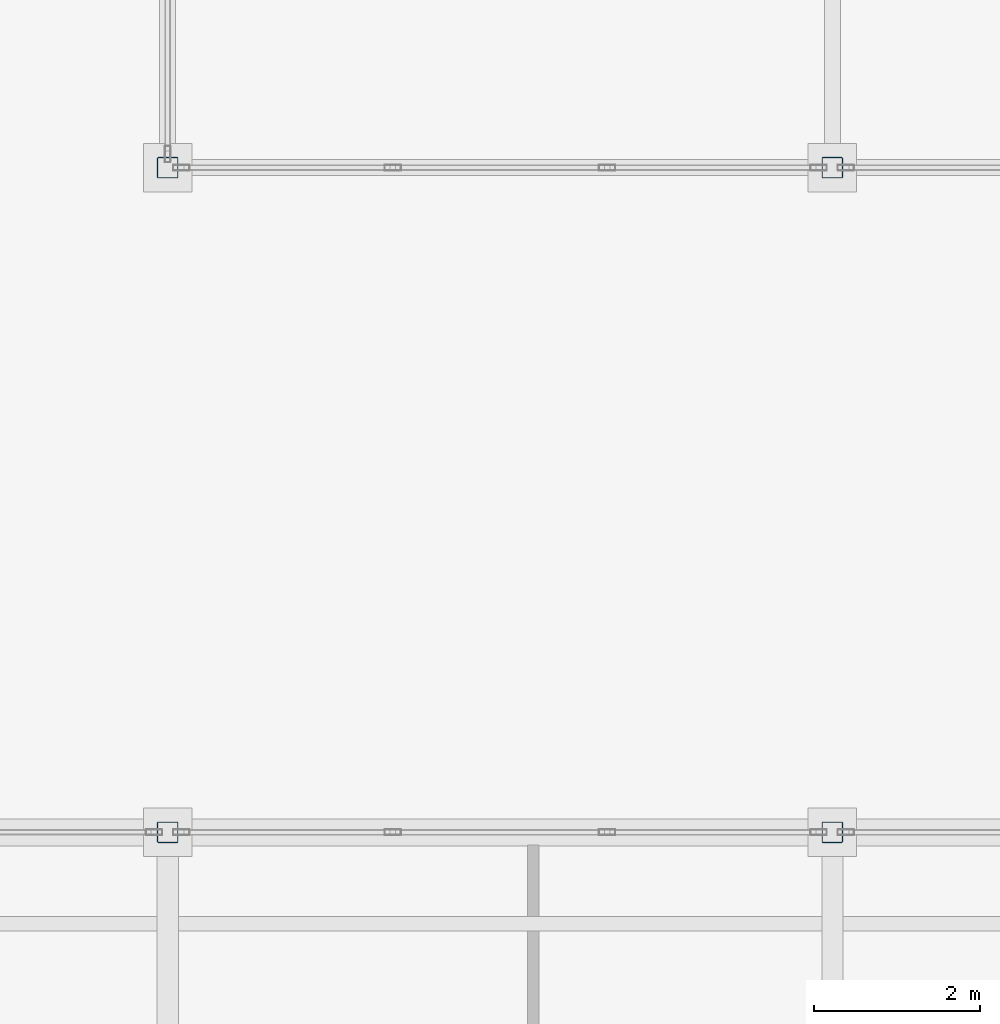
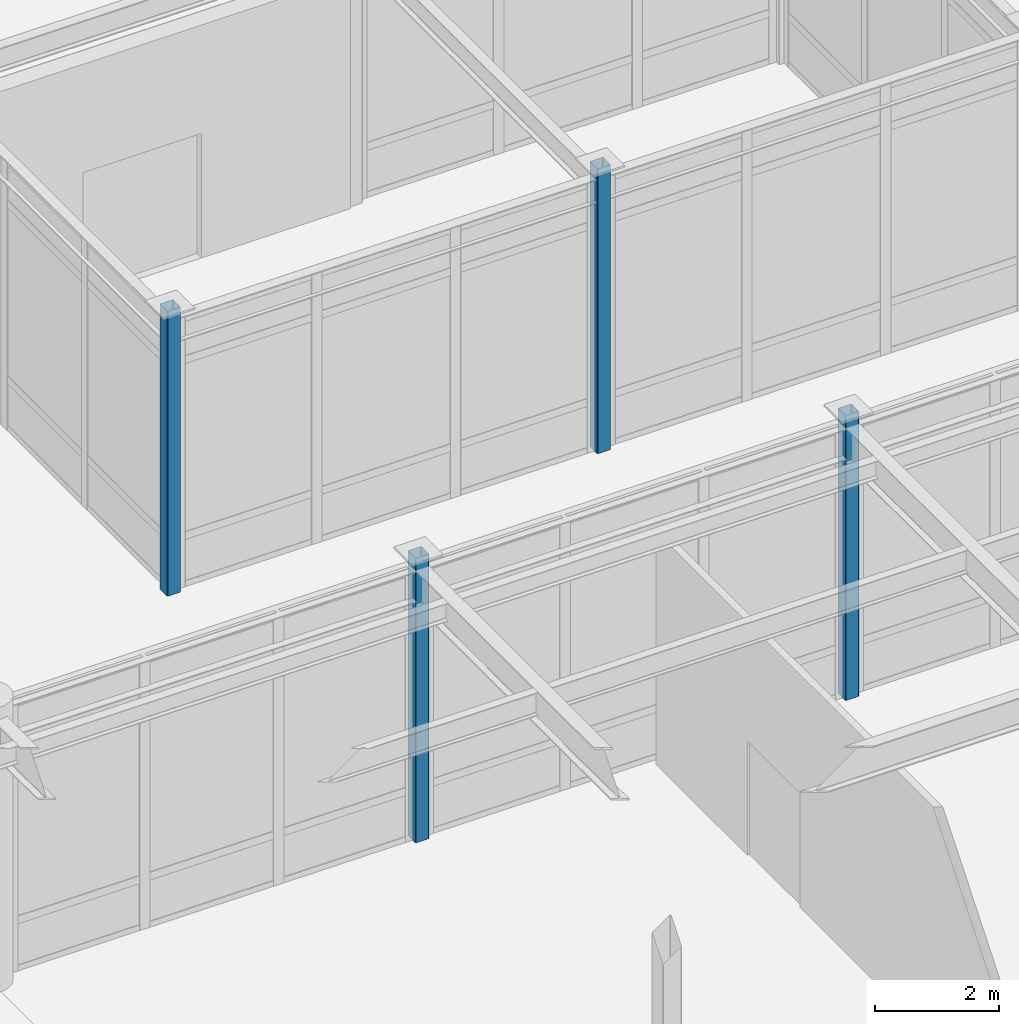
# One storey, part 12 of 128: 4 columns.
"""IFC4 building model written with IfcOpenShell, lengths in metres."""

from ifc_helpers import new_model, si_unit, direction, frame, origin, origin_2d, place, context, subcontext, project, spatial, hollow_rectangle, extrude, material, material_profile, profile_set, type_object, element, save


model = new_model("IFC4")

# Units and contexts
model_context = context("Model", 3, precision=1e-05, world=origin(), true_north=direction((0.0, 1.0)))
body_context = subcontext(model_context, "Body", "Model", "MODEL_VIEW")
ifc_project = project(units=[si_unit("LENGTHUNIT", "METRE"), si_unit("AREAUNIT", "SQUARE_METRE"), si_unit("VOLUMEUNIT", "CUBIC_METRE"), si_unit("PLANEANGLEUNIT", "RADIAN"), si_unit("MASSUNIT", "GRAM", prefix="KILO")], contexts=[model_context])

# Site, building, storey
site_placement = place(None, origin())
site = spatial("IfcSite", under=ifc_project, at=site_placement, CompositionType="ELEMENT")
building_placement = place(site_placement, origin())
building = spatial("IfcBuilding", under=site, at=building_placement, Name="Solmirada Galleria", CompositionType="ELEMENT")
storey_placement = place(building_placement, origin())
storey = spatial("IfcBuildingStorey", under=building, at=storey_placement, Name="L00", CompositionType="ELEMENT", Elevation=0.0)

# Columns
ifc_material = material(Name="Steel S355 / ASTM A500 Grade C", Category="steel")
ifc_material_profile = material_profile(ifc_material, hollow_rectangle(XDim=0.25390625, YDim=0.25390625, WallThickness=0.0087890625, InnerFilletRadius=0.0087890625, OuterFilletRadius=0.017822265625, at=origin_2d()), Name="HSS10X10X3/8")
ifc_profile_set = profile_set([ifc_material_profile], Name="Steel S355 / ASTM A500 Grade C")
column_type = type_object("IfcColumnType", Name="COL-HSS10", PredefinedType="COLUMN", material=ifc_profile_set)
for number, where, z_axis, x_axis, name in (
    (1, (120.0, 48.0, 0.0), (0.0, 0.0, 1.0), (1.0, 0.0, 0.0), "Structural column L00-0963"),
    (2, (120.0, 56.0, 0.0), (0.0, 0.0, 1.0), (1.0, 0.0, 0.0), "Structural column L00-0965"),
    (3, (128.0, 48.0, 0.0), (0.0, 0.0, 1.0), (1.0, 0.0, 0.0), "Structural column L00-1046"),
    (4, (128.0, 56.0, 0.0), (0.0, 0.0, 1.0), (1.0, 0.0, 0.0), "Structural column L00-1048"),
):
    element("IfcColumn", number, at=place(storey_placement, frame(where, z_axis=z_axis, x_axis=x_axis)), inside=storey, type_object=column_type, Name=name, PredefinedType="COLUMN", context=body_context, shape_type="SweptSolid", body=[
        extrude(hollow_rectangle(XDim=0.25390625, YDim=0.25390625, WallThickness=0.0087890625, InnerFilletRadius=0.0087890625, OuterFilletRadius=0.017822265625, at=origin_2d()), origin(), (0.0, 0.0, 1.0), 5.60009765625),
    ])

save(model, "model.ifc")
